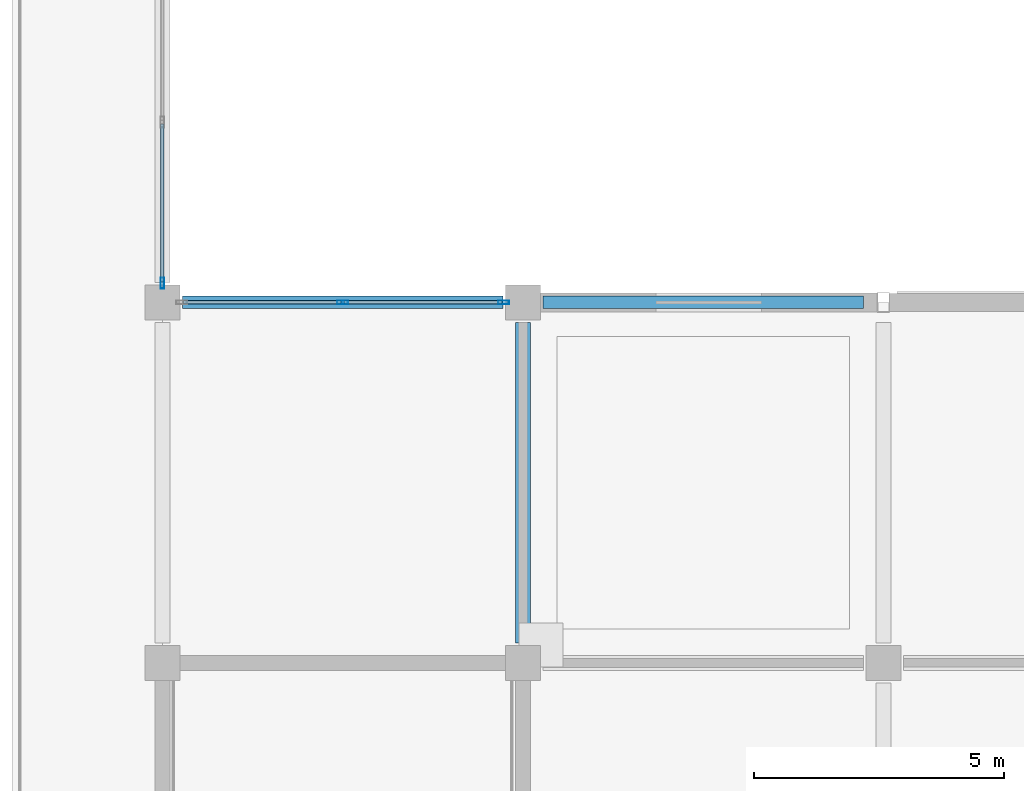
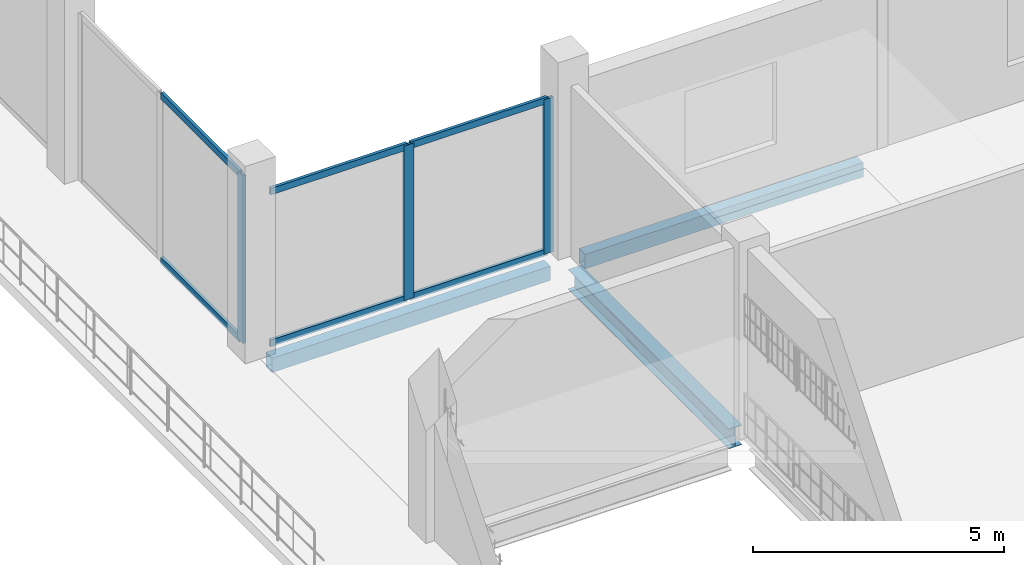
# One storey, part 37 of 120: 9 members, 3 beams, 2 elements without a shape of their own.
"""IFC4 building model written with IfcOpenShell, lengths in metres."""

from ifc_helpers import new_model, si_unit, direction, frame, origin, origin_2d, place, context, subcontext, project, spatial, hollow_rectangle, i_section, extrude, material, material_profile, profile_set, type_object, element, aggregate, save


model = new_model("IFC4")

# Units and contexts
model_context = context("Model", 3, precision=1e-05, world=origin(), true_north=direction((0.0, 1.0)))
body_context = subcontext(model_context, "Body", "Model", "MODEL_VIEW")
ifc_project = project(units=[si_unit("LENGTHUNIT", "METRE"), si_unit("AREAUNIT", "SQUARE_METRE"), si_unit("VOLUMEUNIT", "CUBIC_METRE"), si_unit("PLANEANGLEUNIT", "RADIAN"), si_unit("MASSUNIT", "GRAM", prefix="KILO")], contexts=[model_context])

# Site, building, storey
site_placement = place(None, origin())
site = spatial("IfcSite", under=ifc_project, at=site_placement, CompositionType="ELEMENT")
building_placement = place(site_placement, origin())
building = spatial("IfcBuilding", under=site, at=building_placement, Name="Vesperath Aquatics Centre", CompositionType="ELEMENT")
storey_placement = place(building_placement, frame((0.0, 0.0, 10.199951171875)))
storey = spatial("IfcBuildingStorey", under=building, at=storey_placement, Name="L02", CompositionType="ELEMENT", Elevation=10.199951171875)

# Beams
ifc_material_1 = material(Name="Steel Q355C", Category="steel")
ifc_material_profile_1 = material_profile(ifc_material_1, i_section(OverallWidth=0.300048828125, OverallDepth=0.488037109375, WebThickness=0.010986328125, FlangeThickness=0.01806640625, FilletRadius=0.02587890625, at=origin_2d()), Name="HM 488x300x11x18")
ifc_profile_set_1 = profile_set([ifc_material_profile_1], Name="Steel Q355C")
beam_type_1 = type_object("IfcBeamType", Name="BM-G10", PredefinedType="BEAM", material=ifc_profile_set_1)
beam_placement = place(storey_placement, frame((122.39990234375, 36.39990234375, -0.50390625), z_axis=(0.0, 1.0, 0.0), x_axis=(-1.0, 0.0, 0.0)))
element("IfcBeam", 1, at=beam_placement, inside=storey, type_object=beam_type_1, Name="Floor Girder B10 L02 18 F-G", PredefinedType="BEAM", context=body_context, shape_type="SweptSolid", body=[
    extrude(i_section(OverallWidth=0.300048828125, OverallDepth=0.488037109375, WebThickness=0.010986328125, FlangeThickness=0.01806640625, FilletRadius=0.02587890625, at=origin_2d()), origin(), (0.0, 0.0, 1.0), 6.400146484375),
])
ifc_material_2 = material(Name="Steel Q355D", Category="steel")
ifc_material_profile_2 = material_profile(ifc_material_2, hollow_rectangle(XDim=0.25, YDim=0.35009765625, WallThickness=0.011962890625, at=origin_2d()), Name="RHS 350x250x12")
ifc_profile_set_2 = profile_set([ifc_material_profile_2], Name="Steel Q355D")
beam_type_2 = type_object("IfcBeamType", Name="BM-SP02", PredefinedType="SPANDREL", material=ifc_profile_set_2)
for number, where, z_axis, x_axis, name in (
    (2, (115.60009765625, 43.199951171875, -0.43505859375), (1.0, 0.0, 0.0), (0.0, 1.0, 0.0), "Floor Girder SP02 L02 G 17-18"),
    (3, (122.800048828125, 43.199951171875, -0.43505859375), (1.0, 0.0, 0.0), (0.0, 1.0, 0.0), "Floor Girder SP02 L02 G 18-19"),
):
    element("IfcBeam", number, at=place(storey_placement, frame(where, z_axis=z_axis, x_axis=x_axis)), inside=storey, type_object=beam_type_2, Name=name, PredefinedType="SPANDREL", context=body_context, shape_type="SweptSolid", body=[
        extrude(hollow_rectangle(XDim=0.25, YDim=0.35009765625, WallThickness=0.011962890625, at=origin_2d()), origin(), (0.0, 0.0, 1.0), 6.39990234375),
    ])

# Curtain wall, members
ifc_material_3 = material(Name="Thermally broken anodised bronze aluminium curtain wall", Category="aluminium")
curtain_wall_type = type_object("IfcCurtainWallType", Name="CW-06", PredefinedType="NOTDEFINED", material=ifc_material_3)
curtain_wall_1_placement = place(storey_placement, origin())
curtain_wall_1 = element("IfcCurtainWall", 4, at=curtain_wall_1_placement, inside=storey, type_object=curtain_wall_type, Name="Facade Curtain Wall CW06 L02_N_16_06", PredefinedType="NOTDEFINED")
ifc_material_4 = material(Name="Thermally broken anodised aluminium", Category="aluminium")
ifc_material_profile_3 = material_profile(ifc_material_4, hollow_rectangle(XDim=0.070068359375, YDim=0.219970703125, WallThickness=0.0048828125, at=origin_2d()), Name="CWM 70x220x5")
ifc_profile_set_3 = profile_set([ifc_material_profile_3], Name="Thermally broken anodised aluminium")
member_type_1 = type_object("IfcMemberType", Name="MB-CWM2", PredefinedType="MULLION", material=ifc_profile_set_3)
member_1_placement = place(storey_placement, frame((118.800048828125, 43.199951171875, 0.0), z_axis=(0.0, 0.0, 1.0), x_axis=(0.0, 1.0, 0.0)))
member_1 = element("IfcMember", 5, at=member_1_placement, type_object=member_type_1, Name="CW06 mullion 2", PredefinedType="MULLION", context=body_context, shape_type="SweptSolid", body=[
    extrude(hollow_rectangle(XDim=0.070068359375, YDim=0.219970703125, WallThickness=0.0048828125, at=origin_2d()), origin(), (0.0, 0.0, 1.0), 3.760009765625),
])
member_2_placement = place(storey_placement, frame((122.014892578125, 43.199951171875, 0.0), z_axis=(0.0, 0.0, 1.0), x_axis=(0.0, 1.0, 0.0)))
member_2 = element("IfcMember", 6, at=member_2_placement, type_object=member_type_1, Name="CW06 mullion 3", PredefinedType="MULLION", context=body_context, shape_type="SweptSolid", body=[
    extrude(hollow_rectangle(XDim=0.070068359375, YDim=0.219970703125, WallThickness=0.0048828125, at=origin_2d()), origin(), (0.0, 0.0, 1.0), 3.760009765625),
])

# Curtain wall, member
curtain_wall_2_placement = place(storey_placement, origin())
curtain_wall_2 = element("IfcCurtainWall", 7, at=curtain_wall_2_placement, inside=storey, type_object=curtain_wall_type, Name="Facade Curtain Wall CW06 L02_E_16_06", PredefinedType="NOTDEFINED")
member_3_placement = place(storey_placement, frame((115.199951171875, 43.5849609375, 0.0), z_axis=(0.0, 0.0, 1.0), x_axis=(-1.0, 0.0, 0.0)))
member_3 = element("IfcMember", 8, at=member_3_placement, type_object=member_type_1, Name="CW06 mullion 1", PredefinedType="MULLION", context=body_context, shape_type="SweptSolid", body=[
    extrude(hollow_rectangle(XDim=0.070068359375, YDim=0.219970703125, WallThickness=0.0048828125, at=origin_2d()), origin(), (0.0, 0.0, 1.0), 4.072021484375),
])

# Member
ifc_material_profile_4 = material_profile(ifc_material_4, hollow_rectangle(XDim=0.070068359375, YDim=0.159912109375, WallThickness=0.0048828125, at=origin_2d()), Name="CWT 70x160x5")
ifc_profile_set_4 = profile_set([ifc_material_profile_4], Name="Thermally broken anodised aluminium")
member_type_2 = type_object("IfcMemberType", Name="MB-CWT2", PredefinedType="USERDEFINED", material=ifc_profile_set_4)
member_4_placement = place(storey_placement, frame((115.6201171875, 43.199951171875, 0.03515625), z_axis=(1.0, 0.0, 0.0), x_axis=(0.0, 1.0, 0.0)))
member_4 = element("IfcMember", 9, at=member_4_placement, type_object=member_type_2, Name="CW06 transom 1.1", ObjectType="TRANSOM", PredefinedType="USERDEFINED", context=body_context, shape_type="SweptSolid", body=[
    extrude(hollow_rectangle(XDim=0.070068359375, YDim=0.159912109375, WallThickness=0.0048828125, at=origin_2d()), origin(), (0.0, 0.0, 1.0), 3.144775390625),
])

member_5_placement = place(storey_placement, frame((115.6201171875, 43.199951171875, 3.72509765625), z_axis=(1.0, 0.0, 0.0), x_axis=(0.0, 1.0, 0.0)))
member_5 = element("IfcMember", 10, at=member_5_placement, type_object=member_type_2, Name="CW06 transom 1.2", ObjectType="TRANSOM", PredefinedType="USERDEFINED", context=body_context, shape_type="SweptSolid", body=[
    extrude(hollow_rectangle(XDim=0.070068359375, YDim=0.159912109375, WallThickness=0.0048828125, at=origin_2d()), origin(), (0.0, 0.0, 1.0), 3.144775390625),
])

member_6_placement = place(storey_placement, frame((118.8349609375, 43.199951171875, 0.03515625), z_axis=(1.0, 0.0, 0.0), x_axis=(0.0, 1.0, 0.0)))
member_6 = element("IfcMember", 11, at=member_6_placement, type_object=member_type_2, Name="CW06 transom 2.1", ObjectType="TRANSOM", PredefinedType="USERDEFINED", context=body_context, shape_type="SweptSolid", body=[
    extrude(hollow_rectangle(XDim=0.070068359375, YDim=0.159912109375, WallThickness=0.0048828125, at=origin_2d()), origin(), (0.0, 0.0, 1.0), 3.14501953125),
])

member_7_placement = place(storey_placement, frame((118.8349609375, 43.199951171875, 3.72509765625), z_axis=(1.0, 0.0, 0.0), x_axis=(0.0, 1.0, 0.0)))
member_7 = element("IfcMember", 12, at=member_7_placement, type_object=member_type_2, Name="CW06 transom 2.2", ObjectType="TRANSOM", PredefinedType="USERDEFINED", context=body_context, shape_type="SweptSolid", body=[
    extrude(hollow_rectangle(XDim=0.070068359375, YDim=0.159912109375, WallThickness=0.0048828125, at=origin_2d()), origin(), (0.0, 0.0, 1.0), 3.14501953125),
])

aggregate(curtain_wall_1, [member_1, member_2, member_4, member_5, member_6, member_7])

member_8_placement = place(storey_placement, frame((115.199951171875, 43.6201171875, 0.03515625), z_axis=(0.0, 1.0, 0.0), x_axis=(-1.0, 0.0, 0.0)))
member_8 = element("IfcMember", 13, at=member_8_placement, type_object=member_type_2, Name="CW06 transom 1.1", ObjectType="TRANSOM", PredefinedType="USERDEFINED", context=body_context, shape_type="SweptSolid", body=[
    extrude(hollow_rectangle(XDim=0.070068359375, YDim=0.159912109375, WallThickness=0.0048828125, at=origin_2d()), origin(), (0.0, 0.0, 1.0), 3.144775390625),
])

member_9_placement = place(storey_placement, frame((115.199951171875, 43.6201171875, 4.037109375), z_axis=(0.0, 1.0, 0.0), x_axis=(-1.0, 0.0, 0.0)))
member_9 = element("IfcMember", 14, at=member_9_placement, type_object=member_type_2, Name="CW06 transom 1.2", ObjectType="TRANSOM", PredefinedType="USERDEFINED", context=body_context, shape_type="SweptSolid", body=[
    extrude(hollow_rectangle(XDim=0.070068359375, YDim=0.159912109375, WallThickness=0.0048828125, at=origin_2d()), origin(), (0.0, 0.0, 1.0), 3.144775390625),
])

aggregate(curtain_wall_2, [member_3, member_8, member_9])

save(model, "model.ifc")
